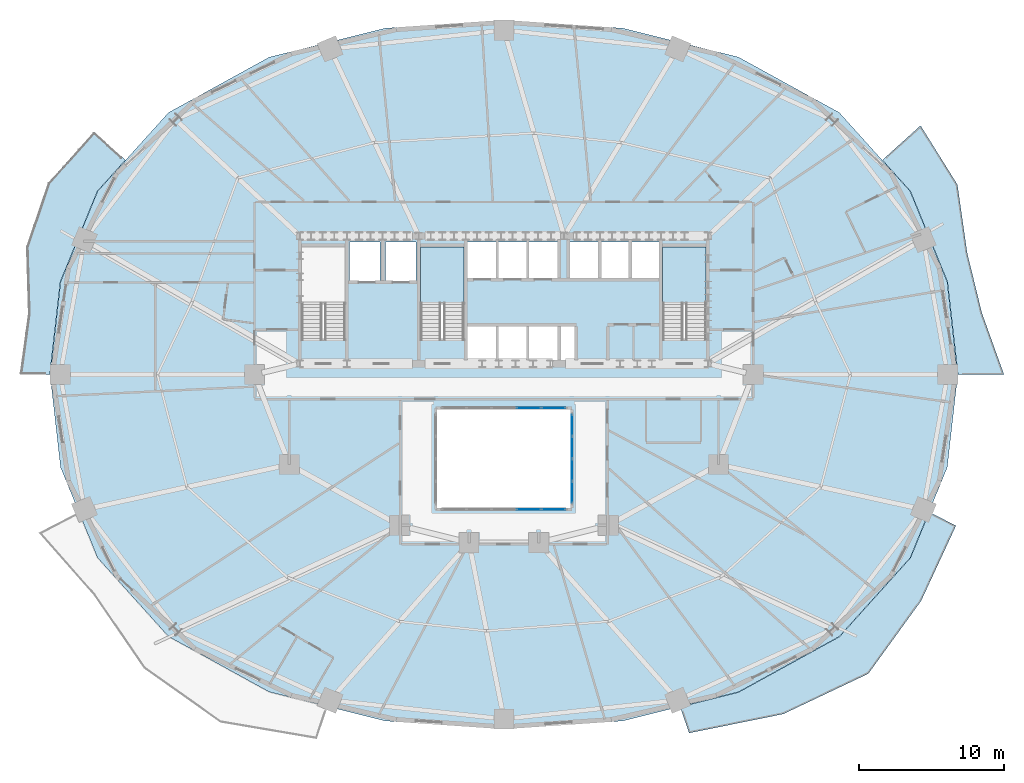
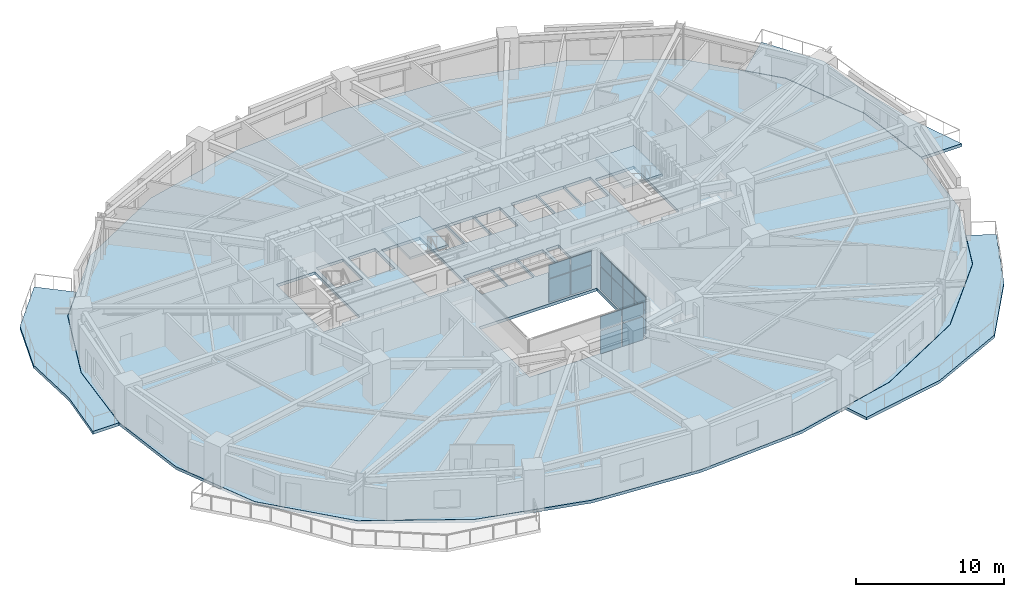
# One storey, part 8 of 17: 16 plates, 6 slabs, 5 elements without a shape of their own.
"""IFC4 building model written with IfcOpenShell, lengths in metres."""

from ifc_helpers import new_model, si_unit, direction, frame, origin, origin_2d, place, context, subcontext, project, spatial, polyline, rectangle, outline, extrude, material, layer, layer_set, type_object, element, aggregate, save


model = new_model("IFC4")

# Units and contexts
model_context = context("Model", 3, precision=1e-05, world=origin(), true_north=direction((0.0, 1.0)))
body_context = subcontext(model_context, "Body", "Model", "MODEL_VIEW")
ifc_project = project(units=[si_unit("LENGTHUNIT", "METRE"), si_unit("AREAUNIT", "SQUARE_METRE"), si_unit("VOLUMEUNIT", "CUBIC_METRE"), si_unit("PLANEANGLEUNIT", "RADIAN"), si_unit("MASSUNIT", "GRAM", prefix="KILO")], contexts=[model_context])

# Site, building, storey
site_placement = place(None, origin())
site = spatial("IfcSite", under=ifc_project, at=site_placement, CompositionType="ELEMENT")
building_placement = place(site_placement, origin())
building = spatial("IfcBuilding", under=site, at=building_placement, Name="Haldorwick Loom Tower", CompositionType="ELEMENT")
storey_placement = place(building_placement, frame((0.0, 0.0, 65.39990234375)))
storey = spatial("IfcBuildingStorey", under=building, at=storey_placement, Name="L17", CompositionType="ELEMENT", Elevation=65.39990234375)

# Curtain wall, plates
ifc_material_1 = material(Name="Thermally Broken Anodized Aluminium Curtain Wall Framing", Category="aluminium")
curtain_wall_type = type_object("IfcCurtainWallType", Name="ARC-CW-03", PredefinedType="NOTDEFINED", material=ifc_material_1)
curtain_wall_1_placement = place(storey_placement, origin())
curtain_wall_1 = element("IfcCurtainWall", 1, at=curtain_wall_1_placement, inside=storey, type_object=curtain_wall_type, Name="L17 Atrium Glazed Screen S", PredefinedType="NOTDEFINED")
ifc_material_2 = material(Name="Triple-Glazed Low-E Argon Insulated Glazing Unit", Category="glass")
ifc_layer_1 = layer(ifc_material_2, 0.04296875, Name="Triple-Glazed Low-E Argon Insulated Glazing Unit", Category="glass")
ifc_layer_set_1 = layer_set([ifc_layer_1], Name="Triple-Glazed Low-E Argon Insulated Glazing Unit")
plate_type = type_object("IfcPlateType", Name="ARC-CWP-03", PredefinedType="CURTAIN_PANEL", material=ifc_layer_set_1)
plate_1_placement = place(storey_placement, frame((39.423583984375, 16.699951171875, 0.066162109375), z_axis=(0.0, 0.0, 1.0), x_axis=(-1.0, 0.0, 0.0)))
plate_1 = element("IfcPlate", 2, at=plate_1_placement, type_object=plate_type, Name="CW-03 panel 1.1", PredefinedType="CURTAIN_PANEL", context=body_context, shape_type="SweptSolid", body=[
    extrude(rectangle(XDim=1.62109375, YDim=0.04296875, at=origin_2d()), origin(), (0.0, 0.0, 1.0), 1.90087890625),
])
plate_2_placement = place(storey_placement, frame((39.423583984375, 16.699951171875, 2.033203125), z_axis=(0.0, 0.0, 1.0), x_axis=(-1.0, 0.0, 0.0)))
plate_2 = element("IfcPlate", 3, at=plate_2_placement, type_object=plate_type, Name="CW-03 panel 1.2", PredefinedType="CURTAIN_PANEL", context=body_context, shape_type="SweptSolid", body=[
    extrude(rectangle(XDim=1.62109375, YDim=0.04296875, at=origin_2d()), origin(), (0.0, 0.0, 1.0), 1.111083984375),
])
plate_3_placement = place(storey_placement, frame((37.719970703125, 16.699951171875, 0.066162109375), z_axis=(0.0, 0.0, 1.0), x_axis=(-1.0, 0.0, 0.0)))
plate_3 = element("IfcPlate", 4, at=plate_3_placement, type_object=plate_type, Name="CW-03 panel 2.1", PredefinedType="CURTAIN_PANEL", context=body_context, shape_type="SweptSolid", body=[
    extrude(rectangle(XDim=1.654052734375, YDim=0.04296875, at=origin_2d()), origin(), (0.0, 0.0, 1.0), 1.90087890625),
])
plate_4_placement = place(storey_placement, frame((37.719970703125, 16.699951171875, 2.033203125), z_axis=(0.0, 0.0, 1.0), x_axis=(-1.0, 0.0, 0.0)))
plate_4 = element("IfcPlate", 5, at=plate_4_placement, type_object=plate_type, Name="CW-03 panel 2.2", PredefinedType="CURTAIN_PANEL", context=body_context, shape_type="SweptSolid", body=[
    extrude(rectangle(XDim=1.654052734375, YDim=0.04296875, at=origin_2d()), origin(), (0.0, 0.0, 1.0), 1.111083984375),
])
aggregate(curtain_wall_1, [plate_1, plate_2, plate_3, plate_4])

curtain_wall_2_placement = place(storey_placement, origin())
curtain_wall_2 = element("IfcCurtainWall", 6, at=curtain_wall_2_placement, inside=storey, type_object=curtain_wall_type, Name="L17 Atrium Glazed Screen N", PredefinedType="NOTDEFINED")
plate_5_placement = place(storey_placement, frame((37.719970703125, 23.699951171875, 0.066162109375), z_axis=(0.0, 0.0, 1.0), x_axis=(1.0, 0.0, 0.0)))
plate_5 = element("IfcPlate", 7, at=plate_5_placement, type_object=plate_type, Name="CW-03 panel 4.1", PredefinedType="CURTAIN_PANEL", context=body_context, shape_type="SweptSolid", body=[
    extrude(rectangle(XDim=1.654052734375, YDim=0.04296875, at=origin_2d()), origin(), (0.0, 0.0, 1.0), 1.90087890625),
])
plate_6_placement = place(storey_placement, frame((37.719970703125, 23.699951171875, 2.033203125), z_axis=(0.0, 0.0, 1.0), x_axis=(1.0, 0.0, 0.0)))
plate_6 = element("IfcPlate", 8, at=plate_6_placement, type_object=plate_type, Name="CW-03 panel 4.2", PredefinedType="CURTAIN_PANEL", context=body_context, shape_type="SweptSolid", body=[
    extrude(rectangle(XDim=1.654052734375, YDim=0.04296875, at=origin_2d()), origin(), (0.0, 0.0, 1.0), 1.111083984375),
])
plate_7_placement = place(storey_placement, frame((39.423583984375, 23.699951171875, 0.066162109375), z_axis=(0.0, 0.0, 1.0), x_axis=(1.0, 0.0, 0.0)))
plate_7 = element("IfcPlate", 9, at=plate_7_placement, type_object=plate_type, Name="CW-03 panel 5.1", PredefinedType="CURTAIN_PANEL", context=body_context, shape_type="SweptSolid", body=[
    extrude(rectangle(XDim=1.62109375, YDim=0.04296875, at=origin_2d()), origin(), (0.0, 0.0, 1.0), 1.90087890625),
])
plate_8_placement = place(storey_placement, frame((39.423583984375, 23.699951171875, 2.033203125), z_axis=(0.0, 0.0, 1.0), x_axis=(1.0, 0.0, 0.0)))
plate_8 = element("IfcPlate", 10, at=plate_8_placement, type_object=plate_type, Name="CW-03 panel 5.2", PredefinedType="CURTAIN_PANEL", context=body_context, shape_type="SweptSolid", body=[
    extrude(rectangle(XDim=1.62109375, YDim=0.04296875, at=origin_2d()), origin(), (0.0, 0.0, 1.0), 1.111083984375),
])
aggregate(curtain_wall_2, [plate_5, plate_6, plate_7, plate_8])

curtain_wall_3_placement = place(storey_placement, origin())
curtain_wall_3 = element("IfcCurtainWall", 11, at=curtain_wall_3_placement, inside=storey, type_object=curtain_wall_type, Name="L17 Atrium Glazed Screen E", PredefinedType="NOTDEFINED")
plate_9_placement = place(storey_placement, frame((40.699951171875, 22.508544921875, 0.066162109375), z_axis=(0.0, 0.0, 1.0), x_axis=(0.0, -1.0, 0.0)))
plate_9 = element("IfcPlate", 12, at=plate_9_placement, type_object=plate_type, Name="CW-03 panel 1.1", PredefinedType="CURTAIN_PANEL", context=body_context, shape_type="SweptSolid", body=[
    extrude(rectangle(XDim=1.450927734375, YDim=0.04296875, at=origin_2d()), origin(), (0.0, 0.0, 1.0), 1.90087890625),
])
plate_10_placement = place(storey_placement, frame((40.699951171875, 22.508544921875, 2.033203125), z_axis=(0.0, 0.0, 1.0), x_axis=(0.0, -1.0, 0.0)))
plate_10 = element("IfcPlate", 13, at=plate_10_placement, type_object=plate_type, Name="CW-03 panel 1.2", PredefinedType="CURTAIN_PANEL", context=body_context, shape_type="SweptSolid", body=[
    extrude(rectangle(XDim=1.450927734375, YDim=0.04296875, at=origin_2d()), origin(), (0.0, 0.0, 1.0), 1.111083984375),
])
plate_11_placement = place(storey_placement, frame((40.699951171875, 20.97509765625, 0.066162109375), z_axis=(0.0, 0.0, 1.0), x_axis=(0.0, -1.0, 0.0)))
plate_11 = element("IfcPlate", 14, at=plate_11_placement, type_object=plate_type, Name="CW-03 panel 2.1", PredefinedType="CURTAIN_PANEL", context=body_context, shape_type="SweptSolid", body=[
    extrude(rectangle(XDim=1.48388671875, YDim=0.04296875, at=origin_2d()), origin(), (0.0, 0.0, 1.0), 1.90087890625),
])
plate_12_placement = place(storey_placement, frame((40.699951171875, 20.97509765625, 2.033203125), z_axis=(0.0, 0.0, 1.0), x_axis=(0.0, -1.0, 0.0)))
plate_12 = element("IfcPlate", 15, at=plate_12_placement, type_object=plate_type, Name="CW-03 panel 2.2", PredefinedType="CURTAIN_PANEL", context=body_context, shape_type="SweptSolid", body=[
    extrude(rectangle(XDim=1.48388671875, YDim=0.04296875, at=origin_2d()), origin(), (0.0, 0.0, 1.0), 1.111083984375),
])
plate_13_placement = place(storey_placement, frame((40.699951171875, 19.425048828125, 0.066162109375), z_axis=(0.0, 0.0, 1.0), x_axis=(0.0, -1.0, 0.0)))
plate_13 = element("IfcPlate", 16, at=plate_13_placement, type_object=plate_type, Name="CW-03 panel 3.1", PredefinedType="CURTAIN_PANEL", context=body_context, shape_type="SweptSolid", body=[
    extrude(rectangle(XDim=1.48388671875, YDim=0.04296875, at=origin_2d()), origin(), (0.0, 0.0, 1.0), 1.90087890625),
])
plate_14_placement = place(storey_placement, frame((40.699951171875, 19.425048828125, 2.033203125), z_axis=(0.0, 0.0, 1.0), x_axis=(0.0, -1.0, 0.0)))
plate_14 = element("IfcPlate", 17, at=plate_14_placement, type_object=plate_type, Name="CW-03 panel 3.2", PredefinedType="CURTAIN_PANEL", context=body_context, shape_type="SweptSolid", body=[
    extrude(rectangle(XDim=1.48388671875, YDim=0.04296875, at=origin_2d()), origin(), (0.0, 0.0, 1.0), 1.111083984375),
])
plate_15_placement = place(storey_placement, frame((40.699951171875, 17.8916015625, 0.066162109375), z_axis=(0.0, 0.0, 1.0), x_axis=(0.0, -1.0, 0.0)))
plate_15 = element("IfcPlate", 18, at=plate_15_placement, type_object=plate_type, Name="CW-03 panel 4.1", PredefinedType="CURTAIN_PANEL", context=body_context, shape_type="SweptSolid", body=[
    extrude(rectangle(XDim=1.450927734375, YDim=0.04296875, at=origin_2d()), origin(), (0.0, 0.0, 1.0), 1.90087890625),
])
plate_16_placement = place(storey_placement, frame((40.699951171875, 17.8916015625, 2.033203125), z_axis=(0.0, 0.0, 1.0), x_axis=(0.0, -1.0, 0.0)))
plate_16 = element("IfcPlate", 19, at=plate_16_placement, type_object=plate_type, Name="CW-03 panel 4.2", PredefinedType="CURTAIN_PANEL", context=body_context, shape_type="SweptSolid", body=[
    extrude(rectangle(XDim=1.450927734375, YDim=0.04296875, at=origin_2d()), origin(), (0.0, 0.0, 1.0), 1.111083984375),
])
aggregate(curtain_wall_3, [plate_9, plate_10, plate_11, plate_12, plate_13, plate_14, plate_15, plate_16])

# Slabs
ifc_material_3 = material(Name="Concrete C40 (40 MPa)", Category="concrete")
ifc_layer_2 = layer(ifc_material_3, 0.239990234375, Name="Concrete C40 (40 MPa)", Category="concrete")
ifc_layer_set_2 = layer_set([ifc_layer_2], Name="Concrete C40 (40 MPa)")
slab_type_1 = type_object("IfcSlabType", Name="STR-SLB-BAL240", PredefinedType="FLOOR", material=ifc_layer_set_2)
slab_1_placement = place(storey_placement, frame((0.0, 0.0, -0.239990234375)))
element("IfcSlab", 20, at=slab_1_placement, inside=storey, type_object=slab_type_1, Name="L17 Sinusoidal Balcony Terrace BAL_SE", PredefinedType="FLOOR", context=body_context, shape_type="SweptSolid", body=[
    extrude(outline(polyline([(65.32470703125, 16.51806640625), (64.031494140625, 13.356689453125), (64.031005859375, 13.355712890625), (64.030517578125, 13.3544921875), (64.02978515625, 13.353515625), (64.02880859375, 13.3525390625), (59.13623046875, 7.92333984375), (59.13525390625, 7.922119140625), (59.1337890625, 7.921142578125), (59.13232421875, 7.92041015625), (52.18310546875, 4.09814453125), (52.18212890625, 4.097412109375), (52.180908203125, 4.096923828125), (52.1796875, 4.0966796875), (48.1533203125, 3.09130859375), (48.771240234375, 1.279541015625), (55.254638671875, 2.591552734375), (61.126220703125, 5.372314453125), (64.769775390625, 10.39892578125), (67.172119140625, 15.580322265625), (65.32470703125, 16.51806640625)])), origin(), (0.0, 0.0, 1.0), 0.239990234375),
])
slab_2_placement = place(storey_placement, frame((0.0, 0.0, -0.239990234375)))
element("IfcSlab", 21, at=slab_2_placement, inside=storey, type_object=slab_type_1, Name="L17 Sinusoidal Balcony Terrace BAL_WNW", PredefinedType="FLOOR", context=body_context, shape_type="SweptSolid", body=[
    extrude(outline(polyline([(4.68896484375, 26.0), (4.689208984375, 26.001708984375), (5.41552734375, 32.40087890625), (5.415771484375, 32.40234375), (5.416015625, 32.40380859375), (5.41650390625, 32.405029296875), (7.968505859375, 38.643310546875), (7.968994140625, 38.644287109375), (7.969482421875, 38.6455078125), (7.97021484375, 38.646484375), (7.97119140625, 38.6474609375), (9.9013671875, 40.78955078125), (7.724853515625, 42.747314453125), (4.57177734375, 39.202392578125), (3.07373046875, 34.795654296875), (3.20849609375, 30.195556640625), (2.63232421875, 26.0), (4.68896484375, 26.0)])), origin(), (0.0, 0.0, 1.0), 0.239990234375),
])
slab_3_placement = place(storey_placement, frame((0.0, 0.0, -0.239990234375)))
element("IfcSlab", 22, at=slab_3_placement, inside=storey, type_object=slab_type_1, Name="L17 Sinusoidal Balcony Terrace BAL_ENE", PredefinedType="FLOOR", context=body_context, shape_type="SweptSolid", body=[
    extrude(outline(polyline([(62.098388671875, 40.789794921875), (64.02880859375, 38.6474609375), (64.02978515625, 38.646484375), (64.030517578125, 38.6455078125), (64.031005859375, 38.644287109375), (64.031494140625, 38.643310546875), (66.58349609375, 32.405029296875), (66.583984375, 32.40380859375), (66.584228515625, 32.40234375), (66.58447265625, 32.40087890625), (67.310791015625, 26.001708984375), (67.31103515625, 26.0), (70.484375, 26.0), (68.962646484375, 30.230224609375), (67.945556640625, 34.3876953125), (67.270263671875, 39.09912109375), (64.729248046875, 43.16943359375), (62.098388671875, 40.789794921875)])), origin(), (0.0, 0.0, 1.0), 0.239990234375),
])

# Stair, slab
stair_type = type_object("IfcStairType", Name="STR-STR-CORE", PredefinedType="HALF_TURN_STAIR", material=ifc_material_3)
stair_1_placement = place(storey_placement, origin())
stair_1 = element("IfcStair", 23, at=stair_1_placement, inside=storey, type_object=stair_type, Name="L17 Exit Stair ST-02", PredefinedType="HALF_TURN_STAIR")
ifc_layer_3 = layer(ifc_material_3, 0.199951171875, Name="Concrete C40 (40 MPa)", Category="concrete")
ifc_layer_set_3 = layer_set([ifc_layer_3], Name="Concrete C40 (40 MPa)")
slab_type_2 = type_object("IfcSlabType", Name="STR-SLB-LAND200", PredefinedType="LANDING", material=ifc_layer_set_3)
slab_4_placement = place(storey_placement, frame((0.0, 0.0, 1.525146484375)))
slab_4 = element("IfcSlab", 24, at=slab_4_placement, type_object=slab_type_2, Name="ST-02 landing 1", PredefinedType="LANDING", context=body_context, shape_type="SweptSolid", body=[
    extrude(outline(polyline([(49.949951171875, 30.919921875), (49.949951171875, 34.800048828125), (46.949951171875, 34.800048828125), (46.949951171875, 30.919921875), (49.949951171875, 30.919921875)])), origin(), (0.0, 0.0, 1.0), 0.199951171875),
])
aggregate(stair_1, [slab_4])

stair_2_placement = place(storey_placement, origin())
stair_2 = element("IfcStair", 25, at=stair_2_placement, inside=storey, type_object=stair_type, Name="L17 Exit Stair ST-03", PredefinedType="HALF_TURN_STAIR")
slab_5_placement = place(storey_placement, frame((0.0, 0.0, 1.525146484375)))
slab_5 = element("IfcSlab", 26, at=slab_5_placement, type_object=slab_type_2, Name="ST-03 landing 1", PredefinedType="LANDING", context=body_context, shape_type="SweptSolid", body=[
    extrude(outline(polyline([(33.25, 30.919921875), (33.25, 34.800048828125), (30.25, 34.800048828125), (30.25, 30.919921875), (33.25, 30.919921875)])), origin(), (0.0, 0.0, 1.0), 0.199951171875),
])
aggregate(stair_2, [slab_5])

# Slab
ifc_layer_4 = layer(ifc_material_3, 0.239990234375, Name="Concrete C40 (40 MPa)", Category="concrete")
ifc_layer_set_4 = layer_set([ifc_layer_4], Name="Concrete C40 (40 MPa)")
slab_type_3 = type_object("IfcSlabType", Name="STR-SLB-RES240", PredefinedType="FLOOR", material=ifc_layer_set_4)
slab_6_placement = place(storey_placement, frame((0.0, 0.0, -0.239990234375)))
element("IfcSlab", 27, at=slab_6_placement, inside=storey, type_object=slab_type_3, Name="L17 Residential Structural Floor Slab", PredefinedType="FLOOR", context=body_context, shape_type="SweptSolid", body=[
    extrude(outline(polyline([(59.125244140625, 7.933349609375), (64.017578125, 13.362548828125), (66.569580078125, 19.6005859375), (67.2958984375, 26.0), (66.569580078125, 32.3994140625), (64.017578125, 38.637451171875), (59.125244140625, 44.066650390625), (52.176025390625, 47.888916015625), (44.191162109375, 49.882568359375), (36.0, 50.449951171875), (27.808837890625, 49.882568359375), (19.823974609375, 47.888916015625), (12.874755859375, 44.066650390625), (7.982421875, 38.637451171875), (5.430419921875, 32.3994140625), (4.7041015625, 26.0), (5.430419921875, 19.6005859375), (7.982421875, 13.362548828125), (12.874755859375, 7.933349609375), (19.823974609375, 4.111083984375), (27.808837890625, 2.117431640625), (36.0, 1.550048828125), (44.191162109375, 2.117431640625), (52.176025390625, 4.111083984375), (59.125244140625, 7.933349609375)]), holes=[polyline([(31.39990234375, 23.60009765625), (40.60009765625, 23.60009765625), (40.60009765625, 16.800048828125), (31.39990234375, 16.800048828125), (31.39990234375, 23.60009765625)]), polyline([(33.5, 26.85009765625), (33.5, 29.35009765625), (35.5, 29.35009765625), (35.5, 26.85009765625), (33.5, 26.85009765625)]), polyline([(22.050048828125, 28.39990234375), (22.050048828125, 34.800048828125), (25.050048828125, 34.800048828125), (25.050048828125, 28.639892578125), (23.6201171875, 28.639892578125), (23.6201171875, 28.39990234375), (22.050048828125, 28.39990234375)]), polyline([(30.25, 28.39990234375), (30.25, 34.800048828125), (33.25, 34.800048828125), (33.25, 28.639892578125), (31.820068359375, 28.639892578125), (31.820068359375, 28.39990234375), (30.25, 28.39990234375)]), polyline([(25.35009765625, 32.449951171875), (25.35009765625, 35.14990234375), (27.449951171875, 35.14990234375), (27.449951171875, 32.449951171875), (25.35009765625, 32.449951171875)]), polyline([(27.85009765625, 32.449951171875), (27.85009765625, 35.14990234375), (29.949951171875, 35.14990234375), (29.949951171875, 32.449951171875), (27.85009765625, 32.449951171875)]), polyline([(33.5, 32.64990234375), (33.5, 35.14990234375), (35.5, 35.14990234375), (35.5, 32.64990234375), (33.5, 32.64990234375)]), polyline([(35.60009765625, 32.64990234375), (35.60009765625, 35.14990234375), (37.60009765625, 35.14990234375), (37.60009765625, 32.64990234375), (35.60009765625, 32.64990234375)]), polyline([(35.60009765625, 26.85009765625), (35.60009765625, 29.35009765625), (37.60009765625, 29.35009765625), (37.60009765625, 26.85009765625), (35.60009765625, 26.85009765625)]), polyline([(37.699951171875, 26.85009765625), (37.699951171875, 29.35009765625), (39.699951171875, 29.35009765625), (39.699951171875, 26.85009765625), (37.699951171875, 26.85009765625)]), polyline([(39.89990234375, 26.89990234375), (39.89990234375, 29.300048828125), (40.89990234375, 29.300048828125), (40.89990234375, 26.89990234375), (39.89990234375, 26.89990234375)]), polyline([(46.949951171875, 28.39990234375), (46.949951171875, 34.800048828125), (49.949951171875, 34.800048828125), (49.949951171875, 28.639892578125), (48.52001953125, 28.639892578125), (48.52001953125, 28.39990234375), (46.949951171875, 28.39990234375)]), polyline([(37.699951171875, 32.64990234375), (37.699951171875, 35.14990234375), (39.699951171875, 35.14990234375), (39.699951171875, 32.64990234375), (37.699951171875, 32.64990234375)]), polyline([(40.550048828125, 32.64990234375), (40.550048828125, 35.14990234375), (42.550048828125, 35.14990234375), (42.550048828125, 32.64990234375), (40.550048828125, 32.64990234375)]), polyline([(42.64990234375, 32.64990234375), (42.64990234375, 35.14990234375), (44.64990234375, 35.14990234375), (44.64990234375, 32.64990234375), (42.64990234375, 32.64990234375)]), polyline([(44.75, 32.64990234375), (44.75, 35.14990234375), (46.75, 35.14990234375), (46.75, 32.64990234375), (44.75, 32.64990234375)])]), origin(), (0.0, 0.0, 1.0), 0.239990234375),
])

save(model, "model.ifc")
